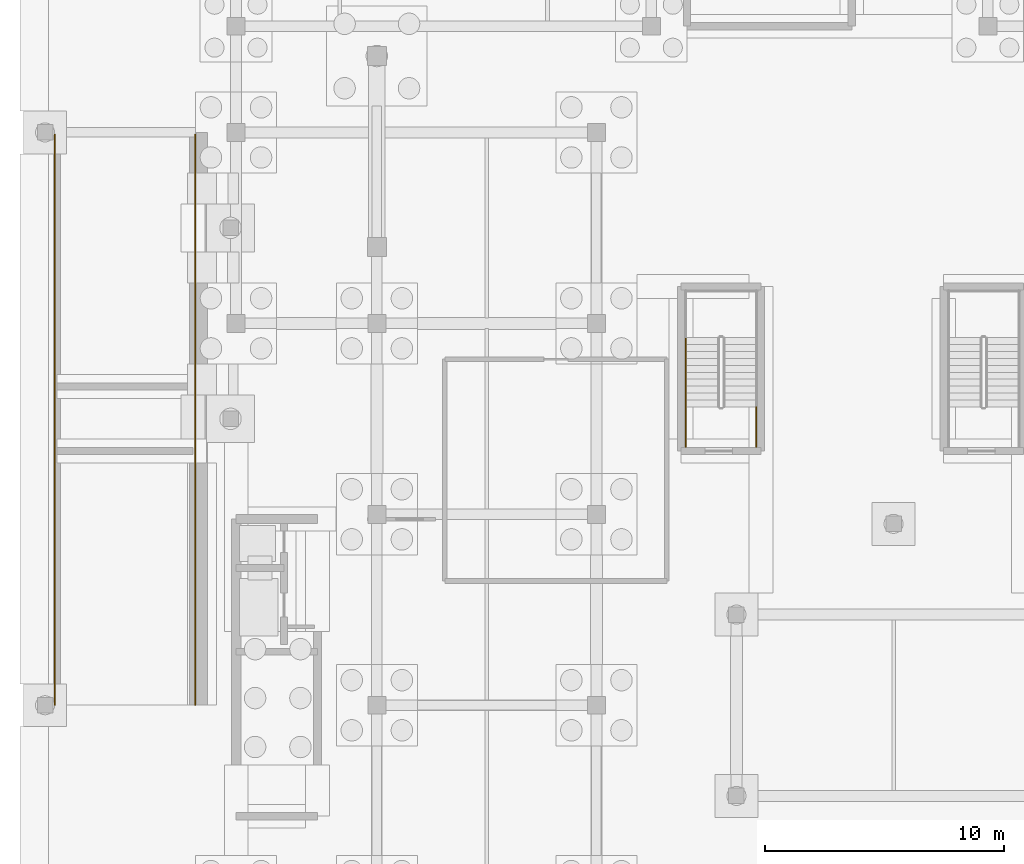
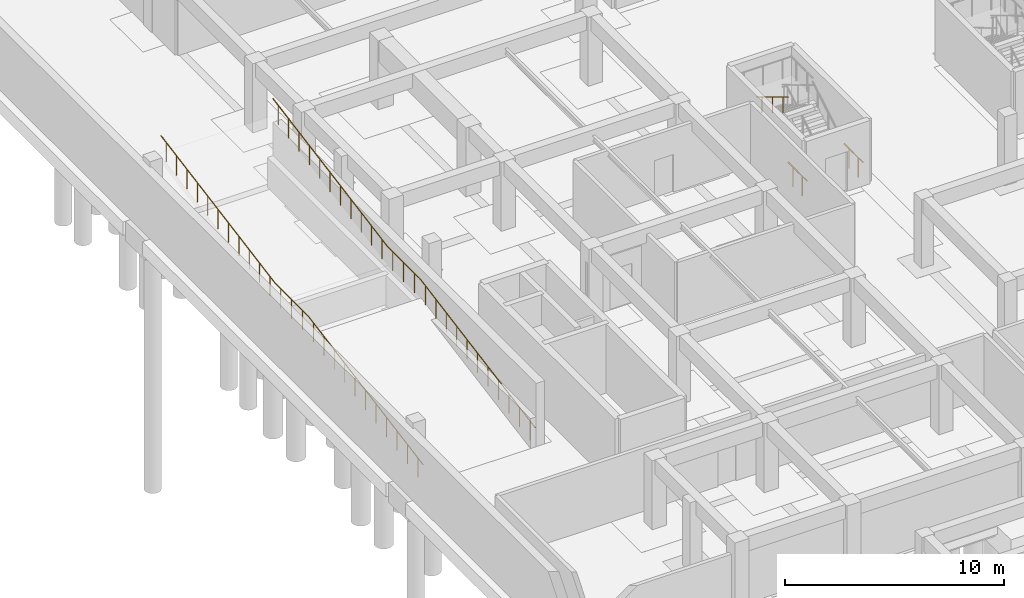
# One storey, part 31 of 35: 9 railings.
"""IFC4 building model written with IfcOpenShell, lengths in metres."""

from ifc_helpers import new_model, si_unit, direction, frame, origin, origin_2d, place, context, subcontext, project, spatial, circle, extrude, material, type_object, element, save


model = new_model("IFC4")

# Units and contexts
model_context = context("Model", 3, precision=1e-05, world=origin(), true_north=direction((0.0, 1.0)))
body_context = subcontext(model_context, "Body", "Model", "MODEL_VIEW")
ifc_project = project(units=[si_unit("LENGTHUNIT", "METRE"), si_unit("AREAUNIT", "SQUARE_METRE"), si_unit("VOLUMEUNIT", "CUBIC_METRE"), si_unit("PLANEANGLEUNIT", "RADIAN"), si_unit("MASSUNIT", "GRAM", prefix="KILO")], contexts=[model_context])

# Site, building, storey
site_placement = place(None, origin())
site = spatial("IfcSite", under=ifc_project, at=site_placement, CompositionType="ELEMENT")
building_placement = place(site_placement, origin())
building = spatial("IfcBuilding", under=site, at=building_placement, Name="Keldmere Railside Commons", CompositionType="ELEMENT")
storey_placement = place(building_placement, frame((0.0, 0.0, -3.840087890625)))
storey = spatial("IfcBuildingStorey", under=building, at=storey_placement, Name="B1", CompositionType="ELEMENT", Elevation=-3.840087890625)

# Railings
ifc_material = material(Name="Steel F-24 (S235)", Category="steel")
railing_type_1 = type_object("IfcRailingType", Name="Stair Well Steel Guardrail 1100", PredefinedType="BALUSTRADE", material=ifc_material)
for number, where, name in (
    (1, (30.25, 82.800048828125, 0.0), "B1 ST-B1 stair guard 8"),
    (2, (27.300048828125, 82.800048828125, 0.0), "B1 ST-B1 stair guard 9"),
):
    element("IfcRailing", number, at=place(storey_placement, frame(where)), inside=storey, type_object=railing_type_1, Name=name, PredefinedType="BALUSTRADE", context=body_context, shape_type="SweptSolid", body=[
        extrude(circle(Radius=0.02392578125, at=origin_2d()), frame((0.0, 0.0, 1.076171875), z_axis=(0.0, 1.0, 0.0), x_axis=(-1.0, 0.0, 0.0)), (0.0, 0.0, 1.0), 1.699951171875),
        extrude(circle(Radius=0.02099609375, at=origin_2d()), frame((0.0, 0.425048828125, 0.0)), (0.0, 0.0, 1.0), 1.048095703125),
        extrude(circle(Radius=0.02099609375, at=origin_2d()), frame((0.0, 1.27490234375, 0.0)), (0.0, 0.0, 1.0), 1.048095703125),
    ])
railing_1_placement = place(storey_placement, frame((0.85009765625, 72.0, 0.0)))
element("IfcRailing", 3, at=railing_1_placement, inside=storey, type_object=railing_type_1, Name="GR-2 GRD-B1-0001", PredefinedType="BALUSTRADE", context=body_context, shape_type="SweptSolid", body=[
    extrude(circle(Radius=0.02392578125, at=origin_2d()), frame((0.0, 0.0, 1.076171875), z_axis=(0.0, 0.98368678596, 0.17988970823), x_axis=(-1.0, 0.0, 0.0)), (0.0, 0.0, 1.0), 10.674072265625),
    extrude(circle(Radius=0.02099609375, at=origin_2d()), frame((0.0, 0.477294921875, 0.08740234375)), (0.0, 0.0, 1.0), 1.048095703125),
    extrude(circle(Radius=0.02099609375, at=origin_2d()), frame((0.0, 1.431884765625, 0.26171875)), (0.0, 0.0, 1.0), 1.048095703125),
    extrude(circle(Radius=0.02099609375, at=origin_2d()), frame((0.0, 2.386474609375, 0.4365234375)), (0.0, 0.0, 1.0), 1.048095703125),
    extrude(circle(Radius=0.02099609375, at=origin_2d()), frame((0.0, 3.3408203125, 0.61083984375)), (0.0, 0.0, 1.0), 1.048095703125),
    extrude(circle(Radius=0.02099609375, at=origin_2d()), frame((0.0, 4.29541015625, 0.78564453125)), (0.0, 0.0, 1.0), 1.048095703125),
    extrude(circle(Radius=0.02099609375, at=origin_2d()), frame((0.0, 5.25, 0.9599609375)), (0.0, 0.0, 1.0), 1.048095703125),
    extrude(circle(Radius=0.02099609375, at=origin_2d()), frame((0.0, 6.20458984375, 1.134765625)), (0.0, 0.0, 1.0), 1.048095703125),
    extrude(circle(Radius=0.02099609375, at=origin_2d()), frame((0.0, 7.1591796875, 1.30908203125)), (0.0, 0.0, 1.0), 1.048095703125),
    extrude(circle(Radius=0.02099609375, at=origin_2d()), frame((0.0, 8.113525390625, 1.48388671875)), (0.0, 0.0, 1.0), 1.048095703125),
    extrude(circle(Radius=0.02099609375, at=origin_2d()), frame((0.0, 9.068115234375, 1.658203125)), (0.0, 0.0, 1.0), 1.048095703125),
    extrude(circle(Radius=0.02099609375, at=origin_2d()), frame((0.0, 10.022705078125, 1.8330078125)), (0.0, 0.0, 1.0), 1.048095703125),
])
railing_2_placement = place(storey_placement, frame((0.85009765625, 82.5, 1.920166015625)))
element("IfcRailing", 4, at=railing_2_placement, inside=storey, type_object=railing_type_1, Name="GR-2 GRD-B1-0002", PredefinedType="BALUSTRADE", context=body_context, shape_type="SweptSolid", body=[
    extrude(circle(Radius=0.02392578125, at=origin_2d()), frame((0.0, 0.0, 1.076171875), z_axis=(0.0, 1.0, 0.0), x_axis=(-1.0, 0.0, 0.0)), (0.0, 0.0, 1.0), 3.0),
    extrude(circle(Radius=0.02099609375, at=origin_2d()), frame((0.0, 0.5, 0.0)), (0.0, 0.0, 1.0), 1.048095703125),
    extrude(circle(Radius=0.02099609375, at=origin_2d()), frame((0.0, 1.5, 0.0)), (0.0, 0.0, 1.0), 1.048095703125),
    extrude(circle(Radius=0.02099609375, at=origin_2d()), frame((0.0, 2.5, 0.0)), (0.0, 0.0, 1.0), 1.048095703125),
])
railing_3_placement = place(storey_placement, frame((0.85009765625, 85.5, 1.920166015625)))
element("IfcRailing", 5, at=railing_3_placement, inside=storey, type_object=railing_type_1, Name="GR-2 GRD-B1-0003", PredefinedType="BALUSTRADE", context=body_context, shape_type="SweptSolid", body=[
    extrude(circle(Radius=0.02392578125, at=origin_2d()), frame((0.0, 0.0, 1.076171875), z_axis=(0.0, 0.983780537452, 0.179376291997), x_axis=(-1.0, 0.0, 0.0)), (0.0, 0.0, 1.0), 10.591796875),
    extrude(circle(Radius=0.02099609375, at=origin_2d()), frame((0.0, 0.4736328125, 0.08642578125)), (0.0, 0.0, 1.0), 1.048095703125),
    extrude(circle(Radius=0.02099609375, at=origin_2d()), frame((0.0, 1.4208984375, 0.259033203125)), (0.0, 0.0, 1.0), 1.048095703125),
    extrude(circle(Radius=0.02099609375, at=origin_2d()), frame((0.0, 2.3681640625, 0.431884765625)), (0.0, 0.0, 1.0), 1.048095703125),
    extrude(circle(Radius=0.02099609375, at=origin_2d()), frame((0.0, 3.3154296875, 0.6044921875)), (0.0, 0.0, 1.0), 1.048095703125),
    extrude(circle(Radius=0.02099609375, at=origin_2d()), frame((0.0, 4.2626953125, 0.77734375)), (0.0, 0.0, 1.0), 1.048095703125),
    extrude(circle(Radius=0.02099609375, at=origin_2d()), frame((0.0, 5.2099609375, 0.949951171875)), (0.0, 0.0, 1.0), 1.048095703125),
    extrude(circle(Radius=0.02099609375, at=origin_2d()), frame((0.0, 6.1572265625, 1.12255859375)), (0.0, 0.0, 1.0), 1.048095703125),
    extrude(circle(Radius=0.02099609375, at=origin_2d()), frame((0.0, 7.1044921875, 1.29541015625)), (0.0, 0.0, 1.0), 1.048095703125),
    extrude(circle(Radius=0.02099609375, at=origin_2d()), frame((0.0, 8.0517578125, 1.468017578125)), (0.0, 0.0, 1.0), 1.048095703125),
    extrude(circle(Radius=0.02099609375, at=origin_2d()), frame((0.0, 8.9990234375, 1.640869140625)), (0.0, 0.0, 1.0), 1.048095703125),
    extrude(circle(Radius=0.02099609375, at=origin_2d()), frame((0.0, 9.9462890625, 1.8134765625)), (0.0, 0.0, 1.0), 1.048095703125),
])
railing_4_placement = place(storey_placement, frame((6.75, 72.0, 0.0)))
element("IfcRailing", 6, at=railing_4_placement, inside=storey, type_object=railing_type_1, Name="GR-2 GRD-B1-0004", PredefinedType="BALUSTRADE", context=body_context, shape_type="SweptSolid", body=[
    extrude(circle(Radius=0.02392578125, at=origin_2d()), frame((0.0, 0.0, 1.076171875), z_axis=(0.0, 0.98368678596, 0.17988970823), x_axis=(-1.0, 0.0, 0.0)), (0.0, 0.0, 1.0), 10.674072265625),
    extrude(circle(Radius=0.02099609375, at=origin_2d()), frame((0.0, 0.477294921875, 0.08740234375)), (0.0, 0.0, 1.0), 1.048095703125),
    extrude(circle(Radius=0.02099609375, at=origin_2d()), frame((0.0, 1.431884765625, 0.26171875)), (0.0, 0.0, 1.0), 1.048095703125),
    extrude(circle(Radius=0.02099609375, at=origin_2d()), frame((0.0, 2.386474609375, 0.4365234375)), (0.0, 0.0, 1.0), 1.048095703125),
    extrude(circle(Radius=0.02099609375, at=origin_2d()), frame((0.0, 3.3408203125, 0.61083984375)), (0.0, 0.0, 1.0), 1.048095703125),
    extrude(circle(Radius=0.02099609375, at=origin_2d()), frame((0.0, 4.29541015625, 0.78564453125)), (0.0, 0.0, 1.0), 1.048095703125),
    extrude(circle(Radius=0.02099609375, at=origin_2d()), frame((0.0, 5.25, 0.9599609375)), (0.0, 0.0, 1.0), 1.048095703125),
    extrude(circle(Radius=0.02099609375, at=origin_2d()), frame((0.0, 6.20458984375, 1.134765625)), (0.0, 0.0, 1.0), 1.048095703125),
    extrude(circle(Radius=0.02099609375, at=origin_2d()), frame((0.0, 7.1591796875, 1.30908203125)), (0.0, 0.0, 1.0), 1.048095703125),
    extrude(circle(Radius=0.02099609375, at=origin_2d()), frame((0.0, 8.113525390625, 1.48388671875)), (0.0, 0.0, 1.0), 1.048095703125),
    extrude(circle(Radius=0.02099609375, at=origin_2d()), frame((0.0, 9.068115234375, 1.658203125)), (0.0, 0.0, 1.0), 1.048095703125),
    extrude(circle(Radius=0.02099609375, at=origin_2d()), frame((0.0, 10.022705078125, 1.8330078125)), (0.0, 0.0, 1.0), 1.048095703125),
])
railing_5_placement = place(storey_placement, frame((6.75, 82.5, 1.920166015625)))
element("IfcRailing", 7, at=railing_5_placement, inside=storey, type_object=railing_type_1, Name="GR-2 GRD-B1-0005", PredefinedType="BALUSTRADE", context=body_context, shape_type="SweptSolid", body=[
    extrude(circle(Radius=0.02392578125, at=origin_2d()), frame((0.0, 0.0, 1.076171875), z_axis=(0.0, 1.0, 0.0), x_axis=(-1.0, 0.0, 0.0)), (0.0, 0.0, 1.0), 3.0),
    extrude(circle(Radius=0.02099609375, at=origin_2d()), frame((0.0, 0.5, 0.0)), (0.0, 0.0, 1.0), 1.048095703125),
    extrude(circle(Radius=0.02099609375, at=origin_2d()), frame((0.0, 1.5, 0.0)), (0.0, 0.0, 1.0), 1.048095703125),
    extrude(circle(Radius=0.02099609375, at=origin_2d()), frame((0.0, 2.5, 0.0)), (0.0, 0.0, 1.0), 1.048095703125),
])
railing_6_placement = place(storey_placement, frame((6.75, 85.5, 1.920166015625)))
element("IfcRailing", 8, at=railing_6_placement, inside=storey, type_object=railing_type_1, Name="GR-2 GRD-B1-0006", PredefinedType="BALUSTRADE", context=body_context, shape_type="SweptSolid", body=[
    extrude(circle(Radius=0.02392578125, at=origin_2d()), frame((0.0, 0.0, 1.076171875), z_axis=(0.0, 0.983780537452, 0.179376291997), x_axis=(-1.0, 0.0, 0.0)), (0.0, 0.0, 1.0), 10.591796875),
    extrude(circle(Radius=0.02099609375, at=origin_2d()), frame((0.0, 0.4736328125, 0.08642578125)), (0.0, 0.0, 1.0), 1.048095703125),
    extrude(circle(Radius=0.02099609375, at=origin_2d()), frame((0.0, 1.4208984375, 0.259033203125)), (0.0, 0.0, 1.0), 1.048095703125),
    extrude(circle(Radius=0.02099609375, at=origin_2d()), frame((0.0, 2.3681640625, 0.431884765625)), (0.0, 0.0, 1.0), 1.048095703125),
    extrude(circle(Radius=0.02099609375, at=origin_2d()), frame((0.0, 3.3154296875, 0.6044921875)), (0.0, 0.0, 1.0), 1.048095703125),
    extrude(circle(Radius=0.02099609375, at=origin_2d()), frame((0.0, 4.2626953125, 0.77734375)), (0.0, 0.0, 1.0), 1.048095703125),
    extrude(circle(Radius=0.02099609375, at=origin_2d()), frame((0.0, 5.2099609375, 0.949951171875)), (0.0, 0.0, 1.0), 1.048095703125),
    extrude(circle(Radius=0.02099609375, at=origin_2d()), frame((0.0, 6.1572265625, 1.12255859375)), (0.0, 0.0, 1.0), 1.048095703125),
    extrude(circle(Radius=0.02099609375, at=origin_2d()), frame((0.0, 7.1044921875, 1.29541015625)), (0.0, 0.0, 1.0), 1.048095703125),
    extrude(circle(Radius=0.02099609375, at=origin_2d()), frame((0.0, 8.0517578125, 1.468017578125)), (0.0, 0.0, 1.0), 1.048095703125),
    extrude(circle(Radius=0.02099609375, at=origin_2d()), frame((0.0, 8.9990234375, 1.640869140625)), (0.0, 0.0, 1.0), 1.048095703125),
    extrude(circle(Radius=0.02099609375, at=origin_2d()), frame((0.0, 9.9462890625, 1.8134765625)), (0.0, 0.0, 1.0), 1.048095703125),
])
railing_type_2 = type_object("IfcRailingType", Name="Wall-Mounted Tubular Steel Handrail 900", PredefinedType="HANDRAIL", material=ifc_material)
railing_7_placement = place(storey_placement, frame((27.300048828125, 87.39990234375, 2.0947265625)))
element("IfcRailing", 9, at=railing_7_placement, inside=storey, type_object=railing_type_2, Name="B1 ST-B1 stair handrail 2", PredefinedType="HANDRAIL", context=body_context, shape_type="SweptSolid", body=[
    extrude(circle(Radius=0.02392578125, at=origin_2d()), frame((0.0, 0.0, 0.8759765625), z_axis=(0.0, -0.856785646576, 0.515672721618), x_axis=(1.0, 0.0, 0.0)), (0.0, 0.0, 1.0), 3.384521484375),
    extrude(circle(Radius=0.02099609375, at=origin_2d()), frame((0.0, -0.4833984375, 0.291015625)), (0.0, 0.0, 1.0), 0.847900390625),
    extrude(circle(Radius=0.02099609375, at=origin_2d()), frame((0.0, -1.449951171875, 0.87255859375)), (0.0, 0.0, 1.0), 0.847900390625),
    extrude(circle(Radius=0.02099609375, at=origin_2d()), frame((0.0, -2.41650390625, 1.45458984375)), (0.0, 0.0, 1.0), 0.847900390625),
])

save(model, "model.ifc")
